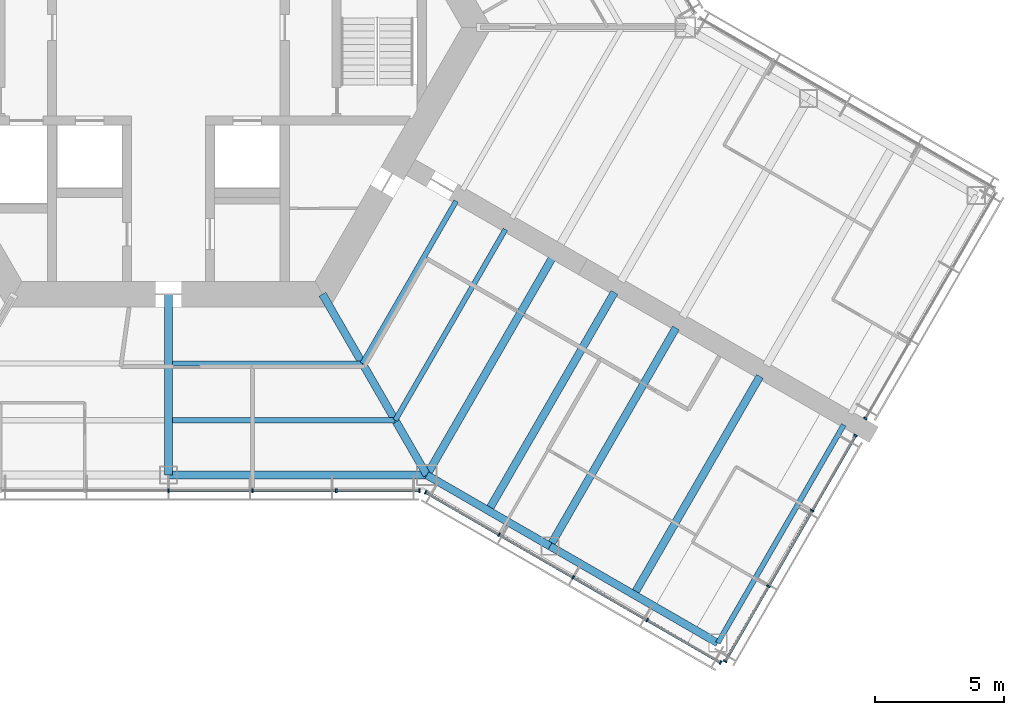
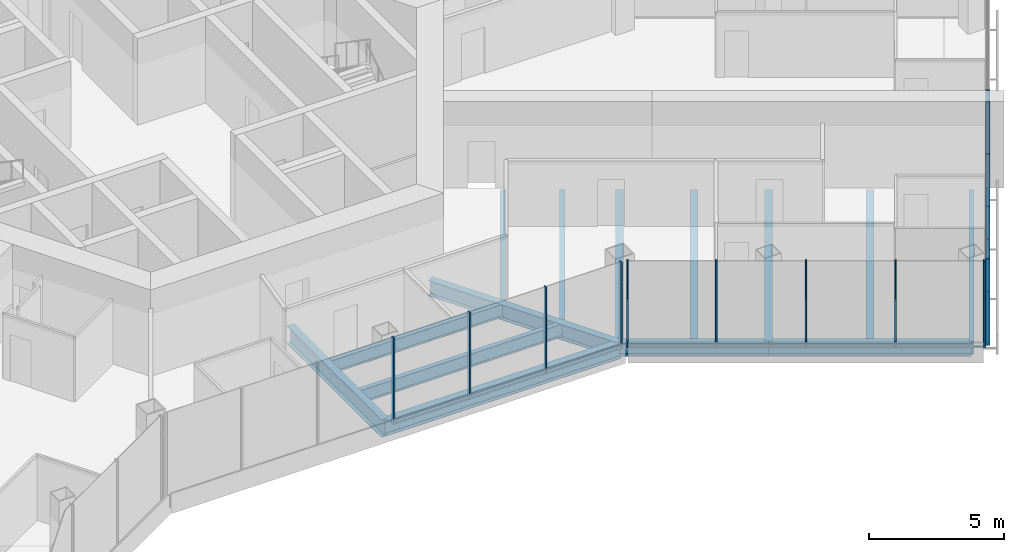
# One storey, part 5 of 18: 24 members, 14 beams, 4 elements without a shape of their own.
"""IFC4 building model written with IfcOpenShell, lengths in metres."""

from ifc_helpers import new_model, si_unit, direction, frame, origin, origin_2d, place, context, subcontext, project, spatial, rectangle, i_section, extrude, material, material_profile, profile_set, type_object, element, aggregate, save


model = new_model("IFC4")

# Units and contexts
model_context = context("Model", 3, precision=1e-05, world=origin(), true_north=direction((0.0, 1.0)))
body_context = subcontext(model_context, "Body", "Model", "MODEL_VIEW")
ifc_project = project(units=[si_unit("LENGTHUNIT", "METRE"), si_unit("AREAUNIT", "SQUARE_METRE"), si_unit("VOLUMEUNIT", "CUBIC_METRE"), si_unit("PLANEANGLEUNIT", "RADIAN"), si_unit("MASSUNIT", "GRAM", prefix="KILO")], contexts=[model_context])

# Site, building, storey
site_placement = place(None, origin())
site = spatial("IfcSite", under=ifc_project, at=site_placement, CompositionType="ELEMENT")
building_placement = place(site_placement, origin())
building = spatial("IfcBuilding", under=site, at=building_placement, Name="Kasaneha Research Tower", CompositionType="ELEMENT")
storey_placement = place(building_placement, frame((0.0, 0.0, 172.10009765625)))
storey = spatial("IfcBuildingStorey", under=building, at=storey_placement, Name="L43", CompositionType="ELEMENT", Elevation=172.10009765625)

# Beams
ifc_material_1 = material(Name="Steel SN490B", Category="steel")
ifc_material_profile_1 = material_profile(ifc_material_1, i_section(OverallWidth=0.199951171875, OverallDepth=0.60009765625, WebThickness=0.010986328125, FlangeThickness=0.01708984375, FilletRadius=0.012939453125, at=origin_2d()), Name="H-600x200x11x17")
ifc_profile_set_1 = profile_set([ifc_material_profile_1], Name="Steel SN490B")
beam_type_1 = type_object("IfcBeamType", Name="B1-3 secondary beam H-600x200x11x17", PredefinedType="JOIST", material=ifc_profile_set_1)
beam_1_placement = place(storey_placement, frame((7.505615234375, -13.0, -0.4501953125), z_axis=(-1.0, 0.0, 0.0), x_axis=(0.0, -1.0, 0.0)))
element("IfcBeam", 1, at=beam_1_placement, inside=storey, type_object=beam_type_1, Name="Secondary beam RS270R1 L43", PredefinedType="JOIST", context=body_context, shape_type="SweptSolid", body=[
    extrude(i_section(OverallWidth=0.199951171875, OverallDepth=0.60009765625, WebThickness=0.010986328125, FlangeThickness=0.01708984375, FilletRadius=0.012939453125, at=origin_2d()), origin(), (0.0, 0.0, 1.0), 7.355712890625),
])
beam_2_placement = place(storey_placement, frame((8.775634765625, -15.199951171875, -0.4501953125), z_axis=(-1.0, 0.0, 0.0), x_axis=(0.0, -1.0, 0.0)))
element("IfcBeam", 2, at=beam_2_placement, inside=storey, type_object=beam_type_1, Name="Secondary beam RS270R2 L43", PredefinedType="JOIST", context=body_context, shape_type="SweptSolid", body=[
    extrude(i_section(OverallWidth=0.199951171875, OverallDepth=0.60009765625, WebThickness=0.010986328125, FlangeThickness=0.01708984375, FilletRadius=0.012939453125, at=origin_2d()), origin(), (0.0, 0.0, 1.0), 8.625732421875),
])
beam_3_placement = place(storey_placement, frame((7.505615234375, -13.0, -0.4501953125), z_axis=(0.499993340521, 0.866029248602, 0.0), x_axis=(-0.866029248602, 0.499993340521, 0.0)))
element("IfcBeam", 3, at=beam_3_placement, inside=storey, type_object=beam_type_1, Name="Secondary beam RS330L1 L43", PredefinedType="JOIST", context=body_context, shape_type="SweptSolid", body=[
    extrude(i_section(OverallWidth=0.199951171875, OverallDepth=0.60009765625, WebThickness=0.010986328125, FlangeThickness=0.01708984375, FilletRadius=0.012939453125, at=origin_2d()), origin(), (0.0, 0.0, 1.0), 7.25537109375),
])
beam_4_placement = place(storey_placement, frame((8.775634765625, -15.199951171875, -0.4501953125), z_axis=(0.500004205306, 0.866022975836, 0.0), x_axis=(-0.866022975836, 0.500004205306, 0.0)))
element("IfcBeam", 4, at=beam_4_placement, inside=storey, type_object=beam_type_1, Name="Secondary beam RS330L2 L43", PredefinedType="JOIST", context=body_context, shape_type="SweptSolid", body=[
    extrude(i_section(OverallWidth=0.199951171875, OverallDepth=0.60009765625, WebThickness=0.010986328125, FlangeThickness=0.01708984375, FilletRadius=0.012939453125, at=origin_2d()), origin(), (0.0, 0.0, 1.0), 8.52587890625),
])
ifc_material_2 = material(Name="Steel SN490B", Category="steel")
ifc_material_profile_2 = material_profile(ifc_material_2, i_section(OverallWidth=0.300048828125, OverallDepth=0.58203125, WebThickness=0.011962890625, FlangeThickness=0.01708984375, FilletRadius=0.012939453125, at=origin_2d()), Name="H-582x300x12x17")
ifc_profile_set_2 = profile_set([ifc_material_profile_2], Name="Steel SN490B")
beam_type_2 = type_object("IfcBeamType", Name="B2-3 secondary beam H-582x300x12x17", PredefinedType="JOIST", material=ifc_profile_set_2)
for number, where, z_axis, x_axis, name in (
    (5, (12.381591796875, -18.695556640625, -0.441162109375), (0.499995560238, 0.866027967067, 0.0), (-0.866027967067, 0.499995560238, 0.0), "Secondary beam WBCP1 L43"),
    (6, (18.0107421875, -21.945556640625, -0.441162109375), (0.499995560238, 0.866027967067, 0.0), (-0.866027967067, 0.499995560238, 0.0), "Secondary beam WBCP2 L43"),
):
    element("IfcBeam", number, at=place(storey_placement, frame(where, z_axis=z_axis, x_axis=x_axis)), inside=storey, type_object=beam_type_2, Name=name, PredefinedType="JOIST", context=body_context, shape_type="SweptSolid", body=[
        extrude(i_section(OverallWidth=0.300048828125, OverallDepth=0.58203125, WebThickness=0.011962890625, FlangeThickness=0.01708984375, FilletRadius=0.012939453125, at=origin_2d()), origin(), (0.0, 0.0, 1.0), 9.75),
    ])

# Curtain wall, members
ifc_material_3 = material(Name="Glass and aluminium", Category="aluminium")
curtain_wall_type = type_object("IfcCurtainWallType", Name="Mid-rise office curtain wall", PredefinedType="USERDEFINED", material=ifc_material_3)
curtain_wall_1_placement = place(storey_placement, origin())
curtain_wall_1 = element("IfcCurtainWall", 7, at=curtain_wall_1_placement, inside=storey, type_object=curtain_wall_type, Name="CW-O2 L43 run 01a", ObjectType="UNITISED CURTAIN WALL", PredefinedType="USERDEFINED")
ifc_material_4 = material(Name="Aluminium 6063-T6", Category="aluminium")
ifc_material_profile_3 = material_profile(ifc_material_4, rectangle(XDim=0.06005859375, YDim=0.14990234375, at=origin_2d()), Name="CW-O2 mullion 60x150")
ifc_profile_set_3 = profile_set([ifc_material_profile_3], Name="Aluminium 6063-T6")
member_type_1 = type_object("IfcMemberType", Name="CW-O2 mullion", PredefinedType="MULLION", material=ifc_profile_set_3)
member_1_placement = place(storey_placement, frame((0.0, -17.92041015625, 0.0), z_axis=(0.0, 0.0, 1.0), x_axis=(1.0, 0.0, 0.0)))
member_1 = element("IfcMember", 8, at=member_1_placement, type_object=member_type_1, Name="CW-O2 mullion 4", PredefinedType="MULLION", context=body_context, shape_type="SweptSolid", body=[
    extrude(rectangle(XDim=0.06005859375, YDim=0.14990234375, at=origin_2d()), origin(), (0.0, 0.0, 1.0), 3.89990234375),
])
member_2_placement = place(storey_placement, frame((3.246337890625, -17.92041015625, 0.0), z_axis=(0.0, 0.0, 1.0), x_axis=(1.0, 0.0, 0.0)))
member_2 = element("IfcMember", 9, at=member_2_placement, type_object=member_type_1, Name="CW-O2 mullion 5", PredefinedType="MULLION", context=body_context, shape_type="SweptSolid", body=[
    extrude(rectangle(XDim=0.06005859375, YDim=0.14990234375, at=origin_2d()), origin(), (0.0, 0.0, 1.0), 3.89990234375),
])
member_3_placement = place(storey_placement, frame((6.492919921875, -17.92041015625, 0.0), z_axis=(0.0, 0.0, 1.0), x_axis=(1.0, 0.0, 0.0)))
member_3 = element("IfcMember", 10, at=member_3_placement, type_object=member_type_1, Name="CW-O2 mullion 6", PredefinedType="MULLION", context=body_context, shape_type="SweptSolid", body=[
    extrude(rectangle(XDim=0.06005859375, YDim=0.14990234375, at=origin_2d()), origin(), (0.0, 0.0, 1.0), 3.89990234375),
])
member_4_placement = place(storey_placement, frame((9.709228515625, -17.92041015625, 0.0), z_axis=(0.0, 0.0, 1.0), x_axis=(1.0, 0.0, 0.0)))
member_4 = element("IfcMember", 11, at=member_4_placement, type_object=member_type_1, Name="CW-O2 mullion 7", PredefinedType="MULLION", context=body_context, shape_type="SweptSolid", body=[
    extrude(rectangle(XDim=0.06005859375, YDim=0.14990234375, at=origin_2d()), origin(), (0.0, 0.0, 1.0), 3.89990234375),
])

curtain_wall_2_placement = place(storey_placement, origin())
curtain_wall_2 = element("IfcCurtainWall", 12, at=curtain_wall_2_placement, inside=storey, type_object=curtain_wall_type, Name="CW-O2 L43 run 02a", ObjectType="UNITISED CURTAIN WALL", PredefinedType="USERDEFINED")
member_5_placement = place(storey_placement, frame((9.951904296875, -17.985595703125, 0.0), z_axis=(0.0, 0.0, 1.0), x_axis=(0.866025411464, -0.499999986699, 0.0)))
member_5 = element("IfcMember", 13, at=member_5_placement, type_object=member_type_1, Name="CW-O2 mullion 1", PredefinedType="MULLION", context=body_context, shape_type="SweptSolid", body=[
    extrude(rectangle(XDim=0.06005859375, YDim=0.14990234375, at=origin_2d()), origin(), (0.0, 0.0, 1.0), 3.89990234375),
])
member_6_placement = place(storey_placement, frame((12.792236328125, -19.62548828125, 0.0), z_axis=(0.0, 0.0, 1.0), x_axis=(0.866025411464, -0.499999986699, 0.0)))
member_6 = element("IfcMember", 14, at=member_6_placement, type_object=member_type_1, Name="CW-O2 mullion 2", PredefinedType="MULLION", context=body_context, shape_type="SweptSolid", body=[
    extrude(rectangle(XDim=0.06005859375, YDim=0.14990234375, at=origin_2d()), origin(), (0.0, 0.0, 1.0), 3.89990234375),
])
member_7_placement = place(storey_placement, frame((15.65869140625, -21.2802734375, 0.0), z_axis=(0.0, 0.0, 1.0), x_axis=(0.866025411464, -0.499999986699, 0.0)))
member_7 = element("IfcMember", 15, at=member_7_placement, type_object=member_type_1, Name="CW-O2 mullion 3", PredefinedType="MULLION", context=body_context, shape_type="SweptSolid", body=[
    extrude(rectangle(XDim=0.06005859375, YDim=0.14990234375, at=origin_2d()), origin(), (0.0, 0.0, 1.0), 3.89990234375),
])
member_8_placement = place(storey_placement, frame((18.52490234375, -22.935302734375, 0.0), z_axis=(0.0, 0.0, 1.0), x_axis=(0.866025411464, -0.499999986699, 0.0)))
member_8 = element("IfcMember", 16, at=member_8_placement, type_object=member_type_1, Name="CW-O2 mullion 4", PredefinedType="MULLION", context=body_context, shape_type="SweptSolid", body=[
    extrude(rectangle(XDim=0.06005859375, YDim=0.14990234375, at=origin_2d()), origin(), (0.0, 0.0, 1.0), 3.89990234375),
])
member_9_placement = place(storey_placement, frame((21.365478515625, -24.5751953125, 0.0), z_axis=(0.0, 0.0, 1.0), x_axis=(0.866025411464, -0.499999986699, 0.0)))
member_9 = element("IfcMember", 17, at=member_9_placement, type_object=member_type_1, Name="CW-O2 mullion 5", PredefinedType="MULLION", context=body_context, shape_type="SweptSolid", body=[
    extrude(rectangle(XDim=0.06005859375, YDim=0.14990234375, at=origin_2d()), origin(), (0.0, 0.0, 1.0), 3.89990234375),
])

curtain_wall_3_placement = place(storey_placement, origin())
curtain_wall_3 = element("IfcCurtainWall", 18, at=curtain_wall_3_placement, inside=storey, type_object=curtain_wall_type, Name="CW-O2 L43 run 03a", ObjectType="UNITISED CURTAIN WALL", PredefinedType="USERDEFINED")
member_10_placement = place(storey_placement, frame((21.54296875, -24.527587890625, 0.0), z_axis=(0.0, 0.0, 1.0), x_axis=(0.500000011442, 0.866025397178, 0.0)))
member_10 = element("IfcMember", 19, at=member_10_placement, type_object=member_type_1, Name="CW-O2 mullion 1", PredefinedType="MULLION", context=body_context, shape_type="SweptSolid", body=[
    extrude(rectangle(XDim=0.06005859375, YDim=0.14990234375, at=origin_2d()), origin(), (0.0, 0.0, 1.0), 3.89990234375),
])
member_11_placement = place(storey_placement, frame((23.2197265625, -21.62353515625, 0.0), z_axis=(0.0, 0.0, 1.0), x_axis=(0.500000011442, 0.866025397178, 0.0)))
member_11 = element("IfcMember", 20, at=member_11_placement, type_object=member_type_1, Name="CW-O2 mullion 2", PredefinedType="MULLION", context=body_context, shape_type="SweptSolid", body=[
    extrude(rectangle(XDim=0.06005859375, YDim=0.14990234375, at=origin_2d()), origin(), (0.0, 0.0, 1.0), 3.89990234375),
])
member_12_placement = place(storey_placement, frame((24.911376953125, -18.693359375, 0.0), z_axis=(0.0, 0.0, 1.0), x_axis=(0.500000011442, 0.866025397178, 0.0)))
member_12 = element("IfcMember", 21, at=member_12_placement, type_object=member_type_1, Name="CW-O2 mullion 3", PredefinedType="MULLION", context=body_context, shape_type="SweptSolid", body=[
    extrude(rectangle(XDim=0.06005859375, YDim=0.14990234375, at=origin_2d()), origin(), (0.0, 0.0, 1.0), 3.89990234375),
])
member_13_placement = place(storey_placement, frame((26.587890625, -15.789306640625, 0.0), z_axis=(0.0, 0.0, 1.0), x_axis=(0.500000011442, 0.866025397178, 0.0)))
member_13 = element("IfcMember", 22, at=member_13_placement, type_object=member_type_1, Name="CW-O2 mullion 4", PredefinedType="MULLION", context=body_context, shape_type="SweptSolid", body=[
    extrude(rectangle(XDim=0.06005859375, YDim=0.14990234375, at=origin_2d()), origin(), (0.0, 0.0, 1.0), 3.89990234375),
])

# Curtain wall, member
curtain_wall_4_placement = place(storey_placement, origin())
curtain_wall_4 = element("IfcCurtainWall", 23, at=curtain_wall_4_placement, inside=storey, type_object=curtain_wall_type, Name="CW-O2 L43 run 04a", ObjectType="UNITISED CURTAIN WALL", PredefinedType="USERDEFINED")
member_14_placement = place(storey_placement, frame((26.968017578125, -15.131103515625, 0.0), z_axis=(0.0, 0.0, 1.0), x_axis=(0.500000011442, 0.866025397178, 0.0)))
member_14 = element("IfcMember", 24, at=member_14_placement, type_object=member_type_1, Name="CW-O2 mullion 1", PredefinedType="MULLION", context=body_context, shape_type="SweptSolid", body=[
    extrude(rectangle(XDim=0.06005859375, YDim=0.14990234375, at=origin_2d()), origin(), (0.0, 0.0, 1.0), 3.89990234375),
])
aggregate(curtain_wall_4, [member_14])

# Member
ifc_material_5 = material(Name="Aluminium 6063-T6", Category="aluminium")
ifc_material_profile_4 = material_profile(ifc_material_5, rectangle(XDim=0.110107421875, YDim=0.06005859375, at=origin_2d()), Name="CW-O2 transom 110x60")
ifc_profile_set_4 = profile_set([ifc_material_profile_4], Name="Aluminium 6063-T6")
member_type_2 = type_object("IfcMemberType", Name="CW-O2 transom", PredefinedType="USERDEFINED", material=ifc_profile_set_4)
member_15_placement = place(storey_placement, frame((0.030029296875, -17.92041015625, 0.02978515625), z_axis=(1.0, 0.0, 0.0), x_axis=(0.0, 1.0, 0.0)))
member_15 = element("IfcMember", 25, at=member_15_placement, type_object=member_type_2, Name="CW-O2 transom 4", ObjectType="TRANSOM", PredefinedType="USERDEFINED", context=body_context, shape_type="SweptSolid", body=[
    extrude(rectangle(XDim=0.110107421875, YDim=0.06005859375, at=origin_2d()), origin(), (0.0, 0.0, 1.0), 3.186279296875),
])

member_16_placement = place(storey_placement, frame((3.2763671875, -17.92041015625, 0.02978515625), z_axis=(1.0, 0.0, 0.0), x_axis=(0.0, 1.0, 0.0)))
member_16 = element("IfcMember", 26, at=member_16_placement, type_object=member_type_2, Name="CW-O2 transom 5", ObjectType="TRANSOM", PredefinedType="USERDEFINED", context=body_context, shape_type="SweptSolid", body=[
    extrude(rectangle(XDim=0.110107421875, YDim=0.06005859375, at=origin_2d()), origin(), (0.0, 0.0, 1.0), 3.1865234375),
])

member_17_placement = place(storey_placement, frame((6.522705078125, -17.92041015625, 0.02978515625), z_axis=(1.0, 0.0, 0.0), x_axis=(0.0, 1.0, 0.0)))
member_17 = element("IfcMember", 27, at=member_17_placement, type_object=member_type_2, Name="CW-O2 transom 6", ObjectType="TRANSOM", PredefinedType="USERDEFINED", context=body_context, shape_type="SweptSolid", body=[
    extrude(rectangle(XDim=0.110107421875, YDim=0.06005859375, at=origin_2d()), origin(), (0.0, 0.0, 1.0), 3.156494140625),
])

aggregate(curtain_wall_1, [member_1, member_2, member_3, member_4, member_15, member_16, member_17])

member_18_placement = place(storey_placement, frame((9.977783203125, -18.00048828125, 0.02978515625), z_axis=(0.866022692473, -0.500004696101, 0.0), x_axis=(0.500004696101, 0.866022692473, 0.0)))
member_18 = element("IfcMember", 28, at=member_18_placement, type_object=member_type_2, Name="CW-O2 transom 1", ObjectType="TRANSOM", PredefinedType="USERDEFINED", context=body_context, shape_type="SweptSolid", body=[
    extrude(rectangle(XDim=0.110107421875, YDim=0.06005859375, at=origin_2d()), origin(), (0.0, 0.0, 1.0), 3.2197265625),
])

member_19_placement = place(storey_placement, frame((12.818115234375, -19.640380859375, 0.02978515625), z_axis=(0.866015446554, -0.500017246033, 0.0), x_axis=(0.500017246033, 0.866015446554, 0.0)))
member_19 = element("IfcMember", 29, at=member_19_placement, type_object=member_type_2, Name="CW-O2 transom 2", ObjectType="TRANSOM", PredefinedType="USERDEFINED", context=body_context, shape_type="SweptSolid", body=[
    extrude(rectangle(XDim=0.110107421875, YDim=0.06005859375, at=origin_2d()), origin(), (0.0, 0.0, 1.0), 3.25),
])

member_20_placement = place(storey_placement, frame((15.6845703125, -21.29541015625, 0.02978515625), z_axis=(0.86604797581, -0.499960902066, 0.0), x_axis=(0.499960902066, 0.86604797581, 0.0)))
member_20 = element("IfcMember", 30, at=member_20_placement, type_object=member_type_2, Name="CW-O2 transom 3", ObjectType="TRANSOM", PredefinedType="USERDEFINED", context=body_context, shape_type="SweptSolid", body=[
    extrude(rectangle(XDim=0.110107421875, YDim=0.06005859375, at=origin_2d()), origin(), (0.0, 0.0, 1.0), 3.249755859375),
])

member_21_placement = place(storey_placement, frame((18.551025390625, -22.9501953125, 0.02978515625), z_axis=(0.866022692473, -0.500004696101, 0.0), x_axis=(0.500004696101, 0.866022692473, 0.0)))
member_21 = element("IfcMember", 31, at=member_21_placement, type_object=member_type_2, Name="CW-O2 transom 4", ObjectType="TRANSOM", PredefinedType="USERDEFINED", context=body_context, shape_type="SweptSolid", body=[
    extrude(rectangle(XDim=0.110107421875, YDim=0.06005859375, at=origin_2d()), origin(), (0.0, 0.0, 1.0), 3.2197265625),
])

aggregate(curtain_wall_2, [member_5, member_6, member_7, member_8, member_9, member_18, member_19, member_20, member_21])

member_22_placement = place(storey_placement, frame((21.557861328125, -24.50146484375, 0.02978515625), z_axis=(0.500021914551, 0.866012751043, 0.0), x_axis=(-0.866012751043, 0.500021914551, 0.0)))
member_22 = element("IfcMember", 32, at=member_22_placement, type_object=member_type_2, Name="CW-O2 transom 1", ObjectType="TRANSOM", PredefinedType="USERDEFINED", context=body_context, shape_type="SweptSolid", body=[
    extrude(rectangle(XDim=0.110107421875, YDim=0.06005859375, at=origin_2d()), origin(), (0.0, 0.0, 1.0), 3.293212890625),
])

member_23_placement = place(storey_placement, frame((23.234619140625, -21.597412109375, 0.02978515625), z_axis=(0.500010745865, 0.866019199568, 0.0), x_axis=(-0.866019199568, 0.500010745865, 0.0)))
member_23 = element("IfcMember", 33, at=member_23_placement, type_object=member_type_2, Name="CW-O2 transom 2", ObjectType="TRANSOM", PredefinedType="USERDEFINED", context=body_context, shape_type="SweptSolid", body=[
    extrude(rectangle(XDim=0.110107421875, YDim=0.06005859375, at=origin_2d()), origin(), (0.0, 0.0, 1.0), 3.3232421875),
])

member_24_placement = place(storey_placement, frame((24.92626953125, -18.66748046875, 0.02978515625), z_axis=(0.500021914551, 0.866012751043, 0.0), x_axis=(-0.866012751043, 0.500021914551, 0.0)))
member_24 = element("IfcMember", 34, at=member_24_placement, type_object=member_type_2, Name="CW-O2 transom 3", ObjectType="TRANSOM", PredefinedType="USERDEFINED", context=body_context, shape_type="SweptSolid", body=[
    extrude(rectangle(XDim=0.110107421875, YDim=0.06005859375, at=origin_2d()), origin(), (0.0, 0.0, 1.0), 3.293212890625),
])

aggregate(curtain_wall_3, [member_10, member_11, member_12, member_13, member_22, member_23, member_24])

# Beams
ifc_material_6 = material(Name="Steel SN490B", Category="steel")
ifc_material_profile_5 = material_profile(ifc_material_6, i_section(OverallWidth=0.300048828125, OverallDepth=0.699951171875, WebThickness=0.012939453125, FlangeThickness=0.02392578125, FilletRadius=0.01806640625, at=origin_2d()), Name="H-700x300x13x24")
ifc_profile_set_5 = profile_set([ifc_material_profile_5], Name="Steel SN490B")
beam_type_3 = type_object("IfcBeamType", Name="G1-3 radial girder H-700x300x13x24", PredefinedType="BEAM", material=ifc_profile_set_5)
beam_5_placement = place(storey_placement, frame((5.961181640625, -10.324951171875, -0.5), z_axis=(0.49999105496, -0.866030568144, 0.0), x_axis=(0.866030568144, 0.49999105496, 0.0)))
element("IfcBeam", 35, at=beam_5_placement, inside=storey, type_object=beam_type_3, Name="Radial girder RV300 L43", PredefinedType="BEAM", context=body_context, shape_type="SweptSolid", body=[
    extrude(i_section(OverallWidth=0.300048828125, OverallDepth=0.699951171875, WebThickness=0.012939453125, FlangeThickness=0.02392578125, FilletRadius=0.01806640625, at=origin_2d()), origin(), (0.0, 0.0, 1.0), 8.077880859375),
])
ifc_material_7 = material(Name="Steel SN490B", Category="steel")
ifc_material_profile_6 = material_profile(ifc_material_7, i_section(OverallWidth=0.300048828125, OverallDepth=0.800048828125, WebThickness=0.013916015625, FlangeThickness=0.02587890625, FilletRadius=0.01806640625, at=origin_2d()), Name="H-800x300x14x26")
ifc_profile_set_6 = profile_set([ifc_material_profile_6], Name="Steel SN490B")
beam_type_4 = type_object("IfcBeamType", Name="G2-3 radial girder H-800x300x14x26", PredefinedType="BEAM", material=ifc_profile_set_6)
beam_6_placement = place(storey_placement, frame((0.0, -10.324951171875, -0.550048828125), z_axis=(0.0, -1.0, 0.0), x_axis=(1.0, 0.0, 0.0)))
element("IfcBeam", 36, at=beam_6_placement, inside=storey, type_object=beam_type_4, Name="Radial girder RM270 L43", PredefinedType="BEAM", context=body_context, shape_type="SweptSolid", body=[
    extrude(i_section(OverallWidth=0.300048828125, OverallDepth=0.800048828125, WebThickness=0.013916015625, FlangeThickness=0.02587890625, FilletRadius=0.01806640625, at=origin_2d()), origin(), (0.0, 0.0, 1.0), 6.99560546875),
])
ifc_material_8 = material(Name="Steel SN490B", Category="steel")
ifc_material_profile_7 = material_profile(ifc_material_8, i_section(OverallWidth=0.300048828125, OverallDepth=0.69189453125, WebThickness=0.012939453125, FlangeThickness=0.02001953125, FilletRadius=0.01806640625, at=origin_2d()), Name="H-692x300x13x20")
ifc_profile_set_7 = profile_set([ifc_material_profile_7], Name="Steel SN490B")
beam_type_5 = type_object("IfcBeamType", Name="G3-3 plate edge girder H-692x300x13x20", PredefinedType="BEAM", material=ifc_profile_set_7)
beam_7_placement = place(storey_placement, frame((10.0, -17.320556640625, -0.49609375), z_axis=(0.499995560238, 0.866027967067, 0.0), x_axis=(-0.866027967067, 0.499995560238, 0.0)))
element("IfcBeam", 37, at=beam_7_placement, inside=storey, type_object=beam_type_5, Name="Plate edge girder PECP L43", PredefinedType="BEAM", context=body_context, shape_type="SweptSolid", body=[
    extrude(i_section(OverallWidth=0.300048828125, OverallDepth=0.69189453125, WebThickness=0.012939453125, FlangeThickness=0.02001953125, FilletRadius=0.01806640625, at=origin_2d()), origin(), (0.0, 0.0, 1.0), 9.75),
])
ifc_material_9 = material(Name="Steel SN490B", Category="steel")
ifc_material_profile_8 = material_profile(ifc_material_9, i_section(OverallWidth=0.300048828125, OverallDepth=0.699951171875, WebThickness=0.012939453125, FlangeThickness=0.02392578125, FilletRadius=0.01806640625, at=origin_2d()), Name="H-700x300x13x24")
ifc_profile_set_8 = profile_set([ifc_material_profile_8], Name="Steel SN490B")
beam_type_6 = type_object("IfcBeamType", Name="G4-3 wing girder H-700x300x13x24", PredefinedType="BEAM", material=ifc_profile_set_8)
beam_8_placement = place(storey_placement, frame((14.76318359375, -20.070556640625, -0.5), z_axis=(0.499995560238, 0.866027967067, 0.0), x_axis=(-0.866027967067, 0.499995560238, 0.0)))
element("IfcBeam", 38, at=beam_8_placement, inside=storey, type_object=beam_type_6, Name="Wing girder WGCP L43", PredefinedType="BEAM", context=body_context, shape_type="SweptSolid", body=[
    extrude(i_section(OverallWidth=0.300048828125, OverallDepth=0.699951171875, WebThickness=0.012939453125, FlangeThickness=0.02392578125, FilletRadius=0.01806640625, at=origin_2d()), origin(), (0.0, 0.0, 1.0), 9.75),
])
ifc_material_10 = material(Name="Steel SN490B", Category="steel")
ifc_material_profile_9 = material_profile(ifc_material_10, i_section(OverallWidth=0.300048828125, OverallDepth=0.69189453125, WebThickness=0.012939453125, FlangeThickness=0.02001953125, FilletRadius=0.01806640625, at=origin_2d()), Name="H-692x300x13x20")
ifc_profile_set_9 = profile_set([ifc_material_profile_9], Name="Steel SN490B")
beam_type_7 = type_object("IfcBeamType", Name="SB1-3 spandrel beam H-692x300x13x20", PredefinedType="SPANDREL", material=ifc_profile_set_9)
beam_9_placement = place(storey_placement, frame((10.0, -17.320556640625, -0.49609375), z_axis=(-1.0, 0.0, 0.0), x_axis=(0.0, -1.0, 0.0)))
element("IfcBeam", 39, at=beam_9_placement, inside=storey, type_object=beam_type_7, Name="Spandrel beam SR270R L43", PredefinedType="SPANDREL", context=body_context, shape_type="SweptSolid", body=[
    extrude(i_section(OverallWidth=0.300048828125, OverallDepth=0.69189453125, WebThickness=0.012939453125, FlangeThickness=0.02001953125, FilletRadius=0.01806640625, at=origin_2d()), origin(), (0.0, 0.0, 1.0), 10.0),
])
ifc_material_11 = material(Name="Steel SN490B", Category="steel")
ifc_material_profile_10 = material_profile(ifc_material_11, i_section(OverallWidth=0.300048828125, OverallDepth=0.58203125, WebThickness=0.011962890625, FlangeThickness=0.01708984375, FilletRadius=0.012939453125, at=origin_2d()), Name="H-582x300x12x17")
ifc_profile_set_10 = profile_set([ifc_material_profile_10], Name="Steel SN490B")
beam_type_8 = type_object("IfcBeamType", Name="SB2-3 spandrel beam H-582x300x12x17", PredefinedType="SPANDREL", material=ifc_profile_set_10)
beam_10_placement = place(storey_placement, frame((10.0, -17.320556640625, -0.441162109375), z_axis=(0.866027397988, -0.499996545922, 0.0), x_axis=(0.499996545922, 0.866027397988, 0.0)))
element("IfcBeam", 40, at=beam_10_placement, inside=storey, type_object=beam_type_8, Name="Spandrel beam WSCP1 L43", PredefinedType="SPANDREL", context=body_context, shape_type="SweptSolid", body=[
    extrude(i_section(OverallWidth=0.300048828125, OverallDepth=0.58203125, WebThickness=0.011962890625, FlangeThickness=0.01708984375, FilletRadius=0.012939453125, at=origin_2d()), origin(), (0.0, 0.0, 1.0), 5.5),
])
beam_11_placement = place(storey_placement, frame((14.76318359375, -20.070556640625, -0.441162109375), z_axis=(0.866022959057, -0.500004234368, 0.0), x_axis=(0.500004234368, 0.866022959057, 0.0)))
element("IfcBeam", 41, at=beam_11_placement, inside=storey, type_object=beam_type_8, Name="Spandrel beam WSCP2 L43", PredefinedType="SPANDREL", context=body_context, shape_type="SweptSolid", body=[
    extrude(i_section(OverallWidth=0.300048828125, OverallDepth=0.58203125, WebThickness=0.011962890625, FlangeThickness=0.01708984375, FilletRadius=0.012939453125, at=origin_2d()), origin(), (0.0, 0.0, 1.0), 7.5),
])
ifc_material_12 = material(Name="Steel SN490B", Category="steel")
ifc_material_profile_11 = material_profile(ifc_material_12, i_section(OverallWidth=0.199951171875, OverallDepth=0.60009765625, WebThickness=0.010986328125, FlangeThickness=0.01708984375, FilletRadius=0.012939453125, at=origin_2d()), Name="H-600x200x11x17")
ifc_profile_set_11 = profile_set([ifc_material_profile_11], Name="Steel SN490B")
beam_type_9 = type_object("IfcBeamType", Name="SB3-3 spandrel beam H-600x200x11x17", PredefinedType="SPANDREL", material=ifc_profile_set_11)
beam_12_placement = place(storey_placement, frame((21.25830078125, -23.820556640625, -0.4501953125), z_axis=(0.499995560238, 0.866027967067, 0.0), x_axis=(-0.866027967067, 0.499995560238, 0.0)))
element("IfcBeam", 42, at=beam_12_placement, inside=storey, type_object=beam_type_9, Name="Spandrel beam WTCP L43", PredefinedType="SPANDREL", context=body_context, shape_type="SweptSolid", body=[
    extrude(i_section(OverallWidth=0.199951171875, OverallDepth=0.60009765625, WebThickness=0.010986328125, FlangeThickness=0.01708984375, FilletRadius=0.012939453125, at=origin_2d()), origin(), (0.0, 0.0, 1.0), 9.75),
])

save(model, "model.ifc")
